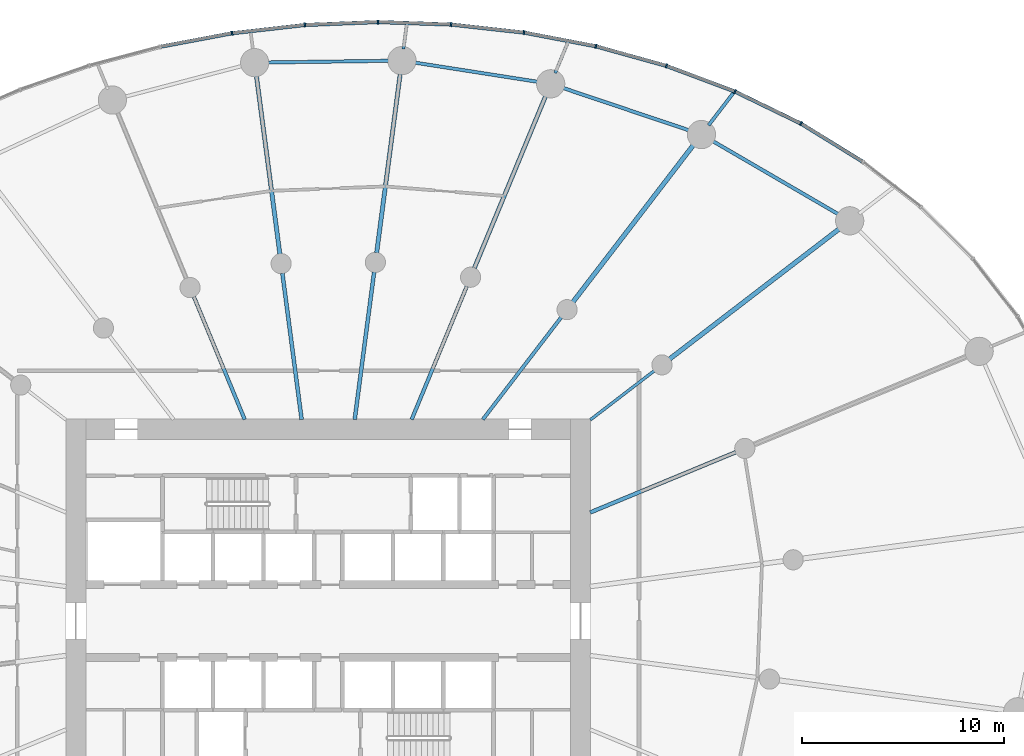
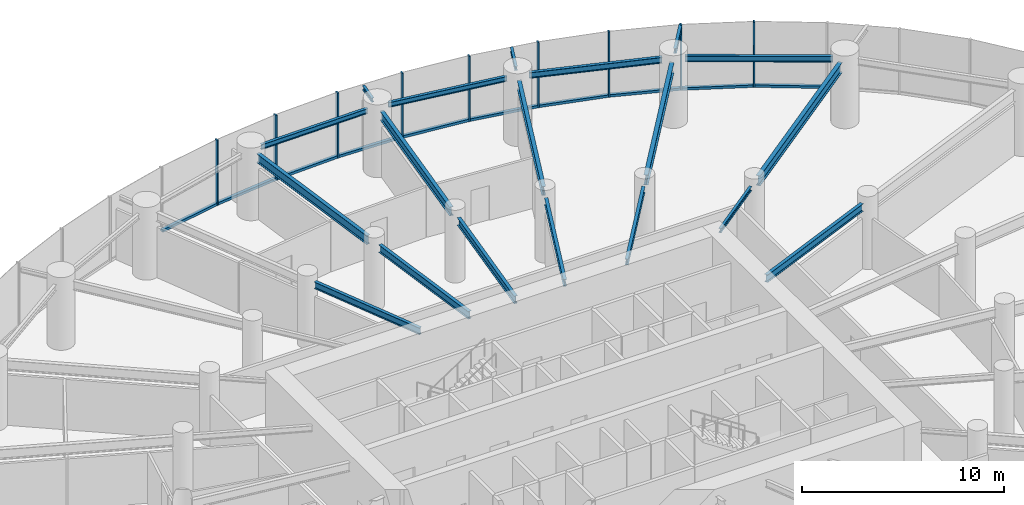
# One storey, part 7 of 18: 19 beams, 19 members, 2 elements without a shape of their own.
"""IFC4 building model written with IfcOpenShell, lengths in metres."""

from ifc_helpers import new_model, si_unit, direction, frame, origin, origin_2d, place, context, subcontext, project, spatial, rectangle, i_section, extrude, source, transform, mapped, material, layer, layer_set, material_profile, profile_set, type_object, element, aggregate, save


model = new_model("IFC4")

# Units and contexts
model_context = context("Model", 3, precision=1e-05, world=origin(), true_north=direction((0.0, 1.0)))
body_context = subcontext(model_context, "Body", "Model", "MODEL_VIEW")
ifc_project = project(units=[si_unit("LENGTHUNIT", "METRE"), si_unit("AREAUNIT", "SQUARE_METRE"), si_unit("VOLUMEUNIT", "CUBIC_METRE"), si_unit("PLANEANGLEUNIT", "RADIAN"), si_unit("MASSUNIT", "GRAM", prefix="KILO")], contexts=[model_context])

# Site, building, storey
site_placement = place(None, origin())
site = spatial("IfcSite", under=ifc_project, at=site_placement, CompositionType="ELEMENT")
building_placement = place(site_placement, origin())
building = spatial("IfcBuilding", under=site, at=building_placement, Name="Spindrift Exchange Tower", CompositionType="ELEMENT")
storey_placement = place(building_placement, frame((0.0, 0.0, 40.199951171875)))
storey = spatial("IfcBuildingStorey", under=building, at=storey_placement, Name="L09", CompositionType="ELEMENT", Elevation=40.199951171875)

# Beams
ifc_material_1 = material(Name="Steel Grade 300", Category="steel")
ifc_material_profile_1 = material_profile(ifc_material_1, i_section(OverallWidth=0.18994140625, OverallDepth=0.45703125, WebThickness=0.009033203125, FlangeThickness=0.014404296875, FilletRadius=0.013916015625, at=origin_2d()), Name="460UB74.6")
ifc_profile_set_1 = profile_set([ifc_material_profile_1], Name="Steel Grade 300")
beam_type_1 = type_object("IfcBeamType", Name="Floor Beam 460UB74.6 Steel Grade 300", PredefinedType="BEAM", material=ifc_profile_set_1)
shared_shape_1 = source(origin(), body_context, "Body", "SweptSolid", [
    extrude(i_section(OverallWidth=0.18994140625, OverallDepth=0.45703125, WebThickness=0.009033203125, FlangeThickness=0.014404296875, FilletRadius=0.013916015625, at=origin_2d()), origin(), (0.0, 0.0, 1.0), 7.808837890625),
])
beam_1_placement = place(storey_placement, frame((64.9814453125, 53.377197265625, 3.721435546875), z_axis=(0.92387965154, 0.382683145003, 0.0), x_axis=(-0.382683145003, 0.92387965154, 0.0)))
element("IfcBeam", 1, at=beam_1_placement, inside=storey, type_object=beam_type_1, Name="L09 radial beam R02A", PredefinedType="BEAM", context=body_context, shape_type="MappedRepresentation", body=[
    mapped(shared_shape_1, transform((0.0, 0.0, 0.0), scale=1.0)),
])
ifc_material_profile_2 = material_profile(ifc_material_1, i_section(OverallWidth=0.14599609375, OverallDepth=0.251953125, WebThickness=0.006103515625, FlangeThickness=0.008544921875, FilletRadius=0.011962890625, at=origin_2d()), Name="250UB31.4")
ifc_profile_set_2 = profile_set([ifc_material_profile_2], Name="Steel Grade 300")
beam_type_2 = type_object("IfcBeamType", Name="Floor Beam 250UB31.4 Steel Grade 300", PredefinedType="BEAM", material=ifc_profile_set_2)
shared_shape_2 = source(origin(), body_context, "Body", "SweptSolid", [
    extrude(i_section(OverallWidth=0.14599609375, OverallDepth=0.251953125, WebThickness=0.006103515625, FlangeThickness=0.008544921875, FilletRadius=0.011962890625, at=origin_2d()), origin(), (0.0, 0.0, 1.0), 3.99560546875),
])
beam_2_placement = place(storey_placement, frame((64.984130859375, 57.963134765625, 3.823974609375), z_axis=(0.793352561574, 0.608762443851, 0.0), x_axis=(-0.608762443851, 0.793352561574, 0.0)))
element("IfcBeam", 2, at=beam_2_placement, inside=storey, type_object=beam_type_2, Name="L09 radial beam R03A", PredefinedType="BEAM", context=body_context, shape_type="MappedRepresentation", body=[
    mapped(shared_shape_2, transform((0.0, 0.0, 0.0), scale=1.0)),
])
ifc_material_profile_3 = material_profile(ifc_material_1, i_section(OverallWidth=0.22802734375, OverallDepth=0.60693359375, WebThickness=0.01123046875, FlangeThickness=0.017333984375, FilletRadius=0.013916015625, at=origin_2d()), Name="610UB113")
ifc_profile_set_3 = profile_set([ifc_material_profile_3], Name="Steel Grade 300")
beam_type_3 = type_object("IfcBeamType", Name="Floor Beam 610UB113 Steel Grade 300", PredefinedType="BEAM", material=ifc_profile_set_3)
shared_shape_3 = source(origin(), body_context, "Body", "SweptSolid", [
    extrude(i_section(OverallWidth=0.22802734375, OverallDepth=0.60693359375, WebThickness=0.01123046875, FlangeThickness=0.017333984375, FilletRadius=0.013916015625, at=origin_2d()), origin(), (0.0, 0.0, 1.0), 10.66357421875),
])
beam_3_placement = place(storey_placement, frame((68.91552734375, 60.979736328125, 3.646484375), z_axis=(0.793357926757, 0.608755451764, 0.0), x_axis=(-0.608755451764, 0.793357926757, 0.0)))
element("IfcBeam", 3, at=beam_3_placement, inside=storey, type_object=beam_type_3, Name="L09 radial beam R03B", PredefinedType="BEAM", context=body_context, shape_type="MappedRepresentation", body=[
    mapped(shared_shape_3, transform((0.0, 0.0, 0.0), scale=1.0)),
])
ifc_material_profile_4 = material_profile(ifc_material_1, i_section(OverallWidth=0.172119140625, OverallDepth=0.35888671875, WebThickness=0.008056640625, FlangeThickness=0.012939453125, FilletRadius=0.013916015625, at=origin_2d()), Name="360UB56.7")
ifc_profile_set_4 = profile_set([ifc_material_profile_4], Name="Steel Grade 300")
beam_type_4 = type_object("IfcBeamType", Name="Floor Beam 360UB56.7 Steel Grade 300", PredefinedType="BEAM", material=ifc_profile_set_4)
shared_shape_4 = source(origin(), body_context, "Body", "SweptSolid", [
    extrude(i_section(OverallWidth=0.172119140625, OverallDepth=0.35888671875, WebThickness=0.008056640625, FlangeThickness=0.012939453125, FilletRadius=0.013916015625, at=origin_2d()), origin(), (0.0, 0.0, 1.0), 6.37646484375),
])
beam_4_placement = place(storey_placement, frame((59.6611328125, 57.984130859375, 3.7705078125), z_axis=(0.608766669952, 0.793349318747, 0.0), x_axis=(-0.793349318747, 0.608766669952, 0.0)))
element("IfcBeam", 4, at=beam_4_placement, inside=storey, type_object=beam_type_4, Name="L09 radial beam R04A", PredefinedType="BEAM", context=body_context, shape_type="MappedRepresentation", body=[
    mapped(shared_shape_4, transform((0.0, 0.0, 0.0), scale=1.0)),
])
shared_shape_5 = source(origin(), body_context, "Body", "SweptSolid", [
    extrude(i_section(OverallWidth=0.22802734375, OverallDepth=0.60693359375, WebThickness=0.01123046875, FlangeThickness=0.017333984375, FilletRadius=0.013916015625, at=origin_2d()), origin(), (0.0, 0.0, 1.0), 9.87548828125),
])
beam_5_placement = place(storey_placement, frame((64.127197265625, 63.8046875, 3.646484375), z_axis=(0.608772470836, 0.793344867477, 0.0), x_axis=(-0.793344867477, 0.608772470836, 0.0)))
element("IfcBeam", 5, at=beam_5_placement, inside=storey, type_object=beam_type_3, Name="L09 radial beam R04B", PredefinedType="BEAM", context=body_context, shape_type="MappedRepresentation", body=[
    mapped(shared_shape_5, transform((0.0, 0.0, 0.0), scale=1.0)),
])
ifc_material_profile_5 = material_profile(ifc_material_1, i_section(OverallWidth=0.177978515625, OverallDepth=0.406005859375, WebThickness=0.0078125, FlangeThickness=0.0126953125, FilletRadius=0.013916015625, at=origin_2d()), Name="410UB59.7")
ifc_profile_set_5 = profile_set([ifc_material_profile_5], Name="Steel Grade 300")
beam_type_5 = type_object("IfcBeamType", Name="Floor Beam 410UB59.7 Steel Grade 300", PredefinedType="BEAM", material=ifc_profile_set_5)
shared_shape_6 = source(origin(), body_context, "Body", "SweptSolid", [
    extrude(i_section(OverallWidth=0.177978515625, OverallDepth=0.406005859375, WebThickness=0.0078125, FlangeThickness=0.0126953125, FilletRadius=0.013916015625, at=origin_2d()), origin(), (0.0, 0.0, 1.0), 7.150634765625),
])
beam_6_placement = place(storey_placement, frame((56.134521484375, 57.9814453125, 3.7470703125), z_axis=(0.382665393358, 0.923887004306, 0.0), x_axis=(-0.923887004306, 0.382665393358, 0.0)))
element("IfcBeam", 6, at=beam_6_placement, inside=storey, type_object=beam_type_5, Name="L09 radial beam R05A", PredefinedType="BEAM", context=body_context, shape_type="MappedRepresentation", body=[
    mapped(shared_shape_6, transform((0.0, 0.0, 0.0), scale=1.0)),
])
ifc_material_profile_6 = material_profile(ifc_material_1, i_section(OverallWidth=0.208984375, OverallDepth=0.532958984375, WebThickness=0.01025390625, FlangeThickness=0.015625, FilletRadius=0.013916015625, at=origin_2d()), Name="530UB92.4")
ifc_profile_set_6 = profile_set([ifc_material_profile_6], Name="Steel Grade 300")
beam_type_6 = type_object("IfcBeamType", Name="Floor Beam 530UB92.4 Steel Grade 300", PredefinedType="BEAM", material=ifc_profile_set_6)
shared_shape_7 = source(origin(), body_context, "Body", "SweptSolid", [
    extrude(i_section(OverallWidth=0.208984375, OverallDepth=0.532958984375, WebThickness=0.01025390625, FlangeThickness=0.015625, FilletRadius=0.013916015625, at=origin_2d()), origin(), (0.0, 0.0, 1.0), 9.309326171875),
])
beam_7_placement = place(storey_placement, frame((59.23828125, 65.474853515625, 3.68359375), z_axis=(0.382685326691, 0.923878747853, 0.0), x_axis=(-0.923878747853, 0.382685326691, 0.0)))
element("IfcBeam", 7, at=beam_7_placement, inside=storey, type_object=beam_type_6, Name="L09 radial beam R05B", PredefinedType="BEAM", context=body_context, shape_type="MappedRepresentation", body=[
    mapped(shared_shape_7, transform((0.0, 0.0, 0.0), scale=1.0)),
])
shared_shape_8 = source(origin(), body_context, "Body", "SweptSolid", [
    extrude(i_section(OverallWidth=0.18994140625, OverallDepth=0.45703125, WebThickness=0.009033203125, FlangeThickness=0.014404296875, FilletRadius=0.013916015625, at=origin_2d()), origin(), (0.0, 0.0, 1.0), 7.374267578125),
])
beam_8_placement = place(storey_placement, frame((53.31396484375, 57.980224609375, 3.721435546875), z_axis=(0.130539295622, 0.99144313619, 0.0), x_axis=(-0.99144313619, 0.130539295622, 0.0)))
element("IfcBeam", 8, at=beam_8_placement, inside=storey, type_object=beam_type_1, Name="L09 radial beam R06A", PredefinedType="BEAM", context=body_context, shape_type="MappedRepresentation", body=[
    mapped(shared_shape_8, transform((0.0, 0.0, 0.0), scale=1.0)),
])
shared_shape_9 = source(origin(), body_context, "Body", "SweptSolid", [
    extrude(i_section(OverallWidth=0.208984375, OverallDepth=0.532958984375, WebThickness=0.01025390625, FlangeThickness=0.015625, FilletRadius=0.013916015625, at=origin_2d()), origin(), (0.0, 0.0, 1.0), 9.020263671875),
])
beam_9_placement = place(storey_placement, frame((54.40185546875, 66.2431640625, 3.68359375), z_axis=(0.13051122338, 0.991446831944, 0.0), x_axis=(-0.991446831944, 0.13051122338, 0.0)))
element("IfcBeam", 9, at=beam_9_placement, inside=storey, type_object=beam_type_6, Name="L09 radial beam R06B", PredefinedType="BEAM", context=body_context, shape_type="MappedRepresentation", body=[
    mapped(shared_shape_9, transform((0.0, 0.0, 0.0), scale=1.0)),
])
shared_shape_10 = source(origin(), body_context, "Body", "SweptSolid", [
    extrude(i_section(OverallWidth=0.18994140625, OverallDepth=0.45703125, WebThickness=0.009033203125, FlangeThickness=0.014404296875, FilletRadius=0.013916015625, at=origin_2d()), origin(), (0.0, 0.0, 1.0), 7.3095703125),
])
beam_10_placement = place(storey_placement, frame((50.68603515625, 57.980224609375, 3.721435546875), z_axis=(-0.130527087244, 0.991444743541, 0.0), x_axis=(-0.991444743541, -0.130527087244, 0.0)))
element("IfcBeam", 10, at=beam_10_placement, inside=storey, type_object=beam_type_1, Name="L09 radial beam R07A", PredefinedType="BEAM", context=body_context, shape_type="MappedRepresentation", body=[
    mapped(shared_shape_10, transform((0.0, 0.0, 0.0), scale=1.0)),
])
shared_shape_11 = source(origin(), body_context, "Body", "SweptSolid", [
    extrude(i_section(OverallWidth=0.208984375, OverallDepth=0.532958984375, WebThickness=0.01025390625, FlangeThickness=0.015625, FilletRadius=0.013916015625, at=origin_2d()), origin(), (0.0, 0.0, 1.0), 8.98388671875),
])
beam_11_placement = place(storey_placement, frame((49.606689453125, 66.17919921875, 3.68359375), z_axis=(-0.130524106785, 0.991445135924, 0.0), x_axis=(-0.991445135924, -0.130524106785, 0.0)))
element("IfcBeam", 11, at=beam_11_placement, inside=storey, type_object=beam_type_6, Name="L09 radial beam R07B", PredefinedType="BEAM", context=body_context, shape_type="MappedRepresentation", body=[
    mapped(shared_shape_11, transform((0.0, 0.0, 0.0), scale=1.0)),
])
shared_shape_12 = source(origin(), body_context, "Body", "SweptSolid", [
    extrude(i_section(OverallWidth=0.177978515625, OverallDepth=0.406005859375, WebThickness=0.0078125, FlangeThickness=0.0126953125, FilletRadius=0.013916015625, at=origin_2d()), origin(), (0.0, 0.0, 1.0), 6.594482421875),
])
beam_12_placement = place(storey_placement, frame((47.865478515625, 57.9814453125, 3.7470703125), z_axis=(-0.382692929746, 0.92387559851, 0.0), x_axis=(-0.92387559851, -0.382692929746, 0.0)))
element("IfcBeam", 12, at=beam_12_placement, inside=storey, type_object=beam_type_5, Name="L09 radial beam R08A", PredefinedType="BEAM", context=body_context, shape_type="MappedRepresentation", body=[
    mapped(shared_shape_12, transform((0.0, 0.0, 0.0), scale=1.0)),
])
ifc_material_profile_7 = material_profile(ifc_material_1, i_section(OverallWidth=0.172119140625, OverallDepth=0.35888671875, WebThickness=0.008056640625, FlangeThickness=0.012939453125, FilletRadius=0.013916015625, at=origin_2d()), Name="360UB56.7")
ifc_profile_set_7 = profile_set([ifc_material_profile_7], Name="Steel Grade 300")
beam_type_7 = type_object("IfcBeamType", Name="Edge Beam 360UB56.7 Steel Grade 300", PredefinedType="SPANDREL", material=ifc_profile_set_7)
shared_shape_13 = source(origin(), body_context, "Body", "SweptSolid", [
    extrude(i_section(OverallWidth=0.172119140625, OverallDepth=0.35888671875, WebThickness=0.008056640625, FlangeThickness=0.012939453125, FilletRadius=0.013916015625, at=origin_2d()), origin(), (0.0, 0.0, 1.0), 7.33740234375),
])
beam_13_placement = place(storey_placement, frame((77.33447265625, 68.1162109375, 3.7705078125), z_axis=(-0.864211826308, 0.503128134047, 0.0), x_axis=(-0.503128134047, -0.864211826308, 0.0)))
element("IfcBeam", 13, at=beam_13_placement, inside=storey, type_object=beam_type_7, Name="L09 edge beam E03", PredefinedType="SPANDREL", context=body_context, shape_type="MappedRepresentation", body=[
    mapped(shared_shape_13, transform((0.0, 0.0, 0.0), scale=1.0)),
])
shared_shape_14 = source(origin(), body_context, "Body", "SweptSolid", [
    extrude(i_section(OverallWidth=0.172119140625, OverallDepth=0.35888671875, WebThickness=0.008056640625, FlangeThickness=0.012939453125, FilletRadius=0.013916015625, at=origin_2d()), origin(), (0.0, 0.0, 1.0), 6.72021484375),
])
beam_14_placement = place(storey_placement, frame((69.9423828125, 72.28466796875, 3.7705078125), z_axis=(-0.947851749681, 0.318711563372, 0.0), x_axis=(-0.318711563372, -0.947851749681, 0.0)))
element("IfcBeam", 14, at=beam_14_placement, inside=storey, type_object=beam_type_7, Name="L09 edge beam E04", PredefinedType="SPANDREL", context=body_context, shape_type="MappedRepresentation", body=[
    mapped(shared_shape_14, transform((0.0, 0.0, 0.0), scale=1.0)),
])
ifc_material_profile_8 = material_profile(ifc_material_1, i_section(OverallWidth=0.1650390625, OverallDepth=0.303955078125, WebThickness=0.006103515625, FlangeThickness=0.01025390625, FilletRadius=0.011474609375, at=origin_2d()), Name="310UB40.4")
ifc_profile_set_8 = profile_set([ifc_material_profile_8], Name="Steel Grade 300")
beam_type_8 = type_object("IfcBeamType", Name="Edge Beam 310UB40.4 Steel Grade 300", PredefinedType="SPANDREL", material=ifc_profile_set_8)
shared_shape_15 = source(origin(), body_context, "Body", "SweptSolid", [
    extrude(i_section(OverallWidth=0.1650390625, OverallDepth=0.303955078125, WebThickness=0.006103515625, FlangeThickness=0.01025390625, FilletRadius=0.011474609375, at=origin_2d()), origin(), (0.0, 0.0, 1.0), 6.297119140625),
])
beam_15_placement = place(storey_placement, frame((62.44970703125, 74.70068359375, 3.798095703125), z_axis=(-0.98802902915, 0.154268070436, 0.0), x_axis=(-0.154268070436, -0.98802902915, 0.0)))
element("IfcBeam", 15, at=beam_15_placement, inside=storey, type_object=beam_type_8, Name="L09 edge beam E05", PredefinedType="SPANDREL", context=body_context, shape_type="MappedRepresentation", body=[
    mapped(shared_shape_15, transform((0.0, 0.0, 0.0), scale=1.0)),
])
shared_shape_16 = source(origin(), body_context, "Body", "SweptSolid", [
    extrude(i_section(OverallWidth=0.1650390625, OverallDepth=0.303955078125, WebThickness=0.006103515625, FlangeThickness=0.01025390625, FilletRadius=0.011474609375, at=origin_2d()), origin(), (0.0, 0.0, 1.0), 6.13720703125),
])
beam_16_placement = place(storey_placement, frame((55.074951171875, 75.75341796875, 3.798095703125), z_axis=(-0.999905820907, -0.013724041543, 0.0), x_axis=(0.013724041543, -0.999905820907, 0.0)))
element("IfcBeam", 16, at=beam_16_placement, inside=storey, type_object=beam_type_8, Name="L09 edge beam E06", PredefinedType="SPANDREL", context=body_context, shape_type="MappedRepresentation", body=[
    mapped(shared_shape_16, transform((0.0, 0.0, 0.0), scale=1.0)),
])
ifc_material_profile_9 = material_profile(ifc_material_1, i_section(OverallWidth=0.1650390625, OverallDepth=0.303955078125, WebThickness=0.006103515625, FlangeThickness=0.01025390625, FilletRadius=0.011474609375, at=origin_2d()), Name="310UB40.4")
ifc_profile_set_9 = profile_set([ifc_material_profile_9], Name="Steel Grade 300")
beam_type_9 = type_object("IfcBeamType", Name="Cantilever Beam 310UB40.4 Steel Grade 300", PredefinedType="BEAM", material=ifc_profile_set_9)
shared_shape_17 = source(origin(), body_context, "Body", "SweptSolid", [
    extrude(i_section(OverallWidth=0.1650390625, OverallDepth=0.303955078125, WebThickness=0.006103515625, FlangeThickness=0.01025390625, FilletRadius=0.011474609375, at=origin_2d()), origin(), (0.0, 0.0, 1.0), 2.16064453125),
])
beam_17_placement = place(storey_placement, frame((70.845458984375, 72.559814453125, 3.798095703125), z_axis=(0.60873278131, 0.793375321622, 0.0), x_axis=(-0.793375321622, 0.60873278131, 0.0)))
element("IfcBeam", 17, at=beam_17_placement, inside=storey, type_object=beam_type_9, Name="L09 cantilever beam R04T", PredefinedType="BEAM", context=body_context, shape_type="MappedRepresentation", body=[
    mapped(shared_shape_17, transform((0.0, 0.0, 0.0), scale=1.0)),
])
ifc_material_profile_10 = material_profile(ifc_material_1, i_section(OverallWidth=0.14599609375, OverallDepth=0.251953125, WebThickness=0.006103515625, FlangeThickness=0.008544921875, FilletRadius=0.011962890625, at=origin_2d()), Name="250UB31.4")
ifc_profile_set_10 = profile_set([ifc_material_profile_10], Name="Steel Grade 300")
beam_type_10 = type_object("IfcBeamType", Name="Cantilever Beam 250UB31.4 Steel Grade 300", PredefinedType="BEAM", material=ifc_profile_set_10)
shared_shape_18 = source(origin(), body_context, "Body", "SweptSolid", [
    extrude(i_section(OverallWidth=0.14599609375, OverallDepth=0.251953125, WebThickness=0.006103515625, FlangeThickness=0.008544921875, FilletRadius=0.011962890625, at=origin_2d()), origin(), (0.0, 0.0, 1.0), 1.72216796875),
])
beam_18_placement = place(storey_placement, frame((63.244873046875, 75.147216796875, 3.823974609375), z_axis=(0.382631424892, 0.923901072997, 0.0), x_axis=(-0.923901072997, 0.382631424892, 0.0)))
element("IfcBeam", 18, at=beam_18_placement, inside=storey, type_object=beam_type_10, Name="L09 cantilever beam R05T", PredefinedType="BEAM", context=body_context, shape_type="MappedRepresentation", body=[
    mapped(shared_shape_18, transform((0.0, 0.0, 0.0), scale=1.0)),
])
shared_shape_19 = source(origin(), body_context, "Body", "SweptSolid", [
    extrude(i_section(OverallWidth=0.14599609375, OverallDepth=0.251953125, WebThickness=0.006103515625, FlangeThickness=0.008544921875, FilletRadius=0.011962890625, at=origin_2d()), origin(), (0.0, 0.0, 1.0), 1.208740234375),
])
beam_19_placement = place(storey_placement, frame((55.730712890625, 76.33642578125, 3.823974609375), z_axis=(0.130271649793, 0.991478339279, 0.0), x_axis=(-0.991478339279, 0.130271649793, 0.0)))
element("IfcBeam", 19, at=beam_19_placement, inside=storey, type_object=beam_type_10, Name="L09 cantilever beam R06T", PredefinedType="BEAM", context=body_context, shape_type="MappedRepresentation", body=[
    mapped(shared_shape_19, transform((0.0, 0.0, 0.0), scale=1.0)),
])

# Curtain wall, members
ifc_material_2 = material(Name="Fritted laminated glass with bronze frame", Category="glass")
ifc_layer = layer(ifc_material_2, 0.199951171875)
ifc_layer_set = layer_set([ifc_layer], Name="ZONE 1 BRONZE FRITTED WALL")
curtain_wall_type = type_object("IfcCurtainWallType", Name="ZONE 1 BRONZE FRITTED WALL", PredefinedType="NOTDEFINED", material=ifc_layer_set)
curtain_wall_1_placement = place(storey_placement, origin())
curtain_wall_1 = element("IfcCurtainWall", 20, at=curtain_wall_1_placement, inside=storey, type_object=curtain_wall_type, Name="L09 Zone 1 Bronze Fritted Wall run 2", PredefinedType="NOTDEFINED")
ifc_material_3 = material(Name="Bronze anodised aluminium", Category="aluminium")
ifc_material_profile_11 = material_profile(ifc_material_3, rectangle(XDim=0.080078125, YDim=0.199951171875, at=origin_2d()), Name="ZONE 1 BRONZE FRITTED WALL MULLION 80X200")
ifc_profile_set_11 = profile_set([ifc_material_profile_11], Name="Bronze anodised aluminium")
member_type_1 = type_object("IfcMemberType", Name="ZONE 1 BRONZE FRITTED WALL MULLION 80X200", PredefinedType="MULLION", material=ifc_profile_set_11)
shared_shape_20 = source(origin(), body_context, "Body", "SweptSolid", [
    extrude(rectangle(XDim=0.080078125, YDim=0.199951171875, at=origin_2d()), origin(), (0.0, 0.0, 1.0), 3.949951171875),
])
member_1_placement = place(storey_placement, frame((75.415771484375, 72.6455078125, 0.0), z_axis=(0.0, 0.0, 1.0), x_axis=(-0.876603115458, 0.481214066678, 0.0)))
member_1 = element("IfcMember", 21, at=member_1_placement, type_object=member_type_1, Name="L09 mullion CW-1.8", PredefinedType="MULLION", context=body_context, shape_type="MappedRepresentation", body=[
    mapped(shared_shape_20, transform((0.0, 0.0, 0.0), scale=1.0)),
])
member_2_placement = place(storey_placement, frame((72.152587890625, 74.228515625, 0.0), z_axis=(0.0, 0.0, 1.0), x_axis=(-0.919085533835, 0.394058094061, 0.0)))
member_2 = element("IfcMember", 22, at=member_2_placement, type_object=member_type_1, Name="L09 mullion CW-1.9", PredefinedType="MULLION", context=body_context, shape_type="MappedRepresentation", body=[
    mapped(shared_shape_20, transform((0.0, 0.0, 0.0), scale=1.0)),
])
member_3_placement = place(storey_placement, frame((68.756103515625, 75.500732421875, 0.0), z_axis=(0.0, 0.0, 1.0), x_axis=(-0.95088107089, 0.309556439157, 0.0)))
member_3 = element("IfcMember", 23, at=member_3_placement, type_object=member_type_1, Name="L09 mullion CW-1.10", PredefinedType="MULLION", context=body_context, shape_type="MappedRepresentation", body=[
    mapped(shared_shape_20, transform((0.0, 0.0, 0.0), scale=1.0)),
])
member_4_placement = place(storey_placement, frame((65.261474609375, 76.471923828125, 0.0), z_axis=(0.0, 0.0, 1.0), x_axis=(-0.973699633682, 0.22783551823, 0.0)))
member_4 = element("IfcMember", 24, at=member_4_placement, type_object=member_type_1, Name="L09 mullion CW-1.11", PredefinedType="MULLION", context=body_context, shape_type="MappedRepresentation", body=[
    mapped(shared_shape_20, transform((0.0, 0.0, 0.0), scale=1.0)),
])
member_5_placement = place(storey_placement, frame((61.698486328125, 77.152099609375, 0.0), z_axis=(0.0, 0.0, 1.0), x_axis=(-0.988874390327, 0.148752950072, 0.0)))
member_5 = element("IfcMember", 25, at=member_5_placement, type_object=member_type_1, Name="L09 mullion CW-1.12", PredefinedType="MULLION", context=body_context, shape_type="MappedRepresentation", body=[
    mapped(shared_shape_20, transform((0.0, 0.0, 0.0), scale=1.0)),
])

curtain_wall_2_placement = place(storey_placement, origin())
curtain_wall_2 = element("IfcCurtainWall", 26, at=curtain_wall_2_placement, inside=storey, type_object=curtain_wall_type, Name="L09 Zone 1 Bronze Fritted Wall run 3", PredefinedType="NOTDEFINED")
member_6_placement = place(storey_placement, frame((58.093017578125, 77.55029296875, 0.0), z_axis=(0.0, 0.0, 1.0), x_axis=(-0.997409204204, 0.071936634401, 0.0)))
member_6 = element("IfcMember", 27, at=member_6_placement, type_object=member_type_1, Name="L09 mullion CW-1.13", PredefinedType="MULLION", context=body_context, shape_type="MappedRepresentation", body=[
    mapped(shared_shape_20, transform((0.0, 0.0, 0.0), scale=1.0)),
])
member_7_placement = place(storey_placement, frame((54.4677734375, 77.673583984375, 0.0), z_axis=(0.0, 0.0, 1.0), x_axis=(-0.999995479186, -0.003006926738, 0.0)))
member_7 = element("IfcMember", 28, at=member_7_placement, type_object=member_type_1, Name="L09 mullion CW-1.14", PredefinedType="MULLION", context=body_context, shape_type="MappedRepresentation", body=[
    mapped(shared_shape_20, transform((0.0, 0.0, 0.0), scale=1.0)),
])
member_8_placement = place(storey_placement, frame((50.84326171875, 77.528564453125, 0.0), z_axis=(0.0, 0.0, 1.0), x_axis=(-0.997069788833, -0.076497295349, 0.0)))
member_8 = element("IfcMember", 29, at=member_8_placement, type_object=member_type_1, Name="L09 mullion CW-1.15", PredefinedType="MULLION", context=body_context, shape_type="MappedRepresentation", body=[
    mapped(shared_shape_20, transform((0.0, 0.0, 0.0), scale=1.0)),
])
member_9_placement = place(storey_placement, frame((47.239013671875, 77.119140625, 0.0), z_axis=(0.0, 0.0, 1.0), x_axis=(-0.988837988931, -0.148994736974, 0.0)))
member_9 = element("IfcMember", 30, at=member_9_placement, type_object=member_type_1, Name="L09 mullion CW-1.16", PredefinedType="MULLION", context=body_context, shape_type="MappedRepresentation", body=[
    mapped(shared_shape_20, transform((0.0, 0.0, 0.0), scale=1.0)),
])

# Member
ifc_material_profile_12 = material_profile(ifc_material_3, rectangle(XDim=0.179931640625, YDim=0.14990234375, at=origin_2d()), Name="ZONE 1 BRONZE FRITTED WALL TRANSOM 180X150")
ifc_profile_set_12 = profile_set([ifc_material_profile_12], Name="Bronze anodised aluminium")
member_type_2 = type_object("IfcMemberType", Name="ZONE 1 BRONZE FRITTED WALL TRANSOM 180X150", PredefinedType="USERDEFINED", material=ifc_profile_set_12)
shared_shape_21 = source(origin(), body_context, "Body", "SweptSolid", [
    extrude(rectangle(XDim=0.179931640625, YDim=0.14990234375, at=origin_2d()), origin(), (0.0, 0.0, 1.0), 3.546875),
])
member_10_placement = place(storey_placement, frame((75.379638671875, 72.662841796875, 0.074951171875), z_axis=(-0.899691250253, 0.436526808133, 0.0), x_axis=(-0.436526808133, -0.899691250253, 0.0)))
member_10 = element("IfcMember", 31, at=member_10_placement, type_object=member_type_2, Name="L09 transom CW-1.8", ObjectType="TRANSOM", PredefinedType="USERDEFINED", context=body_context, shape_type="MappedRepresentation", body=[
    mapped(shared_shape_21, transform((0.0, 0.0, 0.0), scale=1.0)),
])

member_11_placement = place(storey_placement, frame((68.717529296875, 75.511474609375, 0.074951171875), z_axis=(-0.963488320466, 0.267750361953, 0.0), x_axis=(-0.267750361953, -0.963488320466, 0.0)))
member_11 = element("IfcMember", 32, at=member_11_placement, type_object=member_type_2, Name="L09 transom CW-1.10", ObjectType="TRANSOM", PredefinedType="USERDEFINED", context=body_context, shape_type="MappedRepresentation", body=[
    mapped(shared_shape_21, transform((0.0, 0.0, 0.0), scale=1.0)),
])

shared_shape_22 = source(origin(), body_context, "Body", "SweptSolid", [
    extrude(rectangle(XDim=0.179931640625, YDim=0.14990234375, at=origin_2d()), origin(), (0.0, 0.0, 1.0), 3.54736328125),
])
member_12_placement = place(storey_placement, frame((65.22216796875, 76.4794921875, 0.074951171875), z_axis=(-0.982255942327, 0.187545364549, 0.0), x_axis=(-0.187545364549, -0.982255942327, 0.0)))
member_12 = element("IfcMember", 33, at=member_12_placement, type_object=member_type_2, Name="L09 transom CW-1.11", ObjectType="TRANSOM", PredefinedType="USERDEFINED", context=body_context, shape_type="MappedRepresentation", body=[
    mapped(shared_shape_22, transform((0.0, 0.0, 0.0), scale=1.0)),
])

member_13_placement = place(storey_placement, frame((61.65869140625, 77.156494140625, 0.074951171875), z_axis=(-0.993956538008, 0.109774316447, 0.0), x_axis=(-0.109774316447, -0.993956538008, 0.0)))
member_13 = element("IfcMember", 34, at=member_13_placement, type_object=member_type_2, Name="L09 transom CW-1.12", ObjectType="TRANSOM", PredefinedType="USERDEFINED", context=body_context, shape_type="MappedRepresentation", body=[
    mapped(shared_shape_22, transform((0.0, 0.0, 0.0), scale=1.0)),
])

member_14_placement = place(storey_placement, frame((58.05322265625, 77.5517578125, 0.074951171875), z_axis=(-0.999421911514, 0.033997687942, 0.0), x_axis=(-0.033997687942, -0.999421911514, 0.0)))
member_14 = element("IfcMember", 35, at=member_14_placement, type_object=member_type_2, Name="L09 transom CW-1.13", ObjectType="TRANSOM", PredefinedType="USERDEFINED", context=body_context, shape_type="MappedRepresentation", body=[
    mapped(shared_shape_22, transform((0.0, 0.0, 0.0), scale=1.0)),
])

member_15_placement = place(storey_placement, frame((54.427734375, 77.672119140625, 0.074951171875), z_axis=(-0.999197436654, -0.040055993121, 0.0), x_axis=(0.040055993121, -0.999197436654, 0.0)))
member_15 = element("IfcMember", 36, at=member_15_placement, type_object=member_type_2, Name="L09 transom CW-1.14", ObjectType="TRANSOM", PredefinedType="USERDEFINED", context=body_context, shape_type="MappedRepresentation", body=[
    mapped(shared_shape_22, transform((0.0, 0.0, 0.0), scale=1.0)),
])

member_16_placement = place(storey_placement, frame((50.803466796875, 77.52392578125, 0.074951171875), z_axis=(-0.993609641076, -0.112871082037, 0.0), x_axis=(0.112871082037, -0.993609641076, 0.0)))
member_16 = element("IfcMember", 37, at=member_16_placement, type_object=member_type_2, Name="L09 transom CW-1.15", ObjectType="TRANSOM", PredefinedType="USERDEFINED", context=body_context, shape_type="MappedRepresentation", body=[
    mapped(shared_shape_22, transform((0.0, 0.0, 0.0), scale=1.0)),
])

member_17_placement = place(storey_placement, frame((47.19970703125, 77.11181640625, 0.074951171875), z_axis=(-0.982751207611, -0.184932592958, 0.0), x_axis=(0.184932592958, -0.982751207611, 0.0)))
member_17 = element("IfcMember", 38, at=member_17_placement, type_object=member_type_2, Name="L09 transom CW-1.16", ObjectType="TRANSOM", PredefinedType="USERDEFINED", context=body_context, shape_type="MappedRepresentation", body=[
    mapped(shared_shape_22, transform((0.0, 0.0, 0.0), scale=1.0)),
])

aggregate(curtain_wall_2, [member_6, member_14, member_7, member_15, member_8, member_16, member_9, member_17])

shared_shape_23 = source(origin(), body_context, "Body", "SweptSolid", [
    extrude(rectangle(XDim=0.179931640625, YDim=0.14990234375, at=origin_2d()), origin(), (0.0, 0.0, 1.0), 3.547119140625),
])
member_18_placement = place(storey_placement, frame((72.115234375, 74.24267578125, 0.074951171875), z_axis=(-0.936470528524, 0.350746274685, 0.0), x_axis=(-0.350746274685, -0.936470528524, 0.0)))
member_18 = element("IfcMember", 39, at=member_18_placement, type_object=member_type_2, Name="L09 transom CW-1.9", ObjectType="TRANSOM", PredefinedType="USERDEFINED", context=body_context, shape_type="MappedRepresentation", body=[
    mapped(shared_shape_23, transform((0.0, 0.0, 0.0), scale=1.0)),
])

shared_shape_24 = source(origin(), body_context, "Body", "SweptSolid", [
    extrude(rectangle(XDim=0.179931640625, YDim=0.14990234375, at=origin_2d()), origin(), (0.0, 0.0, 1.0), 3.54638671875),
])
member_19_placement = place(storey_placement, frame((78.46875, 70.763671875, 0.074951171875), z_axis=(-0.851284646837, 0.524704154795, 0.0), x_axis=(-0.524704154795, -0.851284646837, 0.0)))
member_19 = element("IfcMember", 40, at=member_19_placement, type_object=member_type_2, Name="L09 transom CW-1.7", ObjectType="TRANSOM", PredefinedType="USERDEFINED", context=body_context, shape_type="MappedRepresentation", body=[
    mapped(shared_shape_24, transform((0.0, 0.0, 0.0), scale=1.0)),
])

aggregate(curtain_wall_1, [member_19, member_1, member_10, member_2, member_18, member_3, member_11, member_4, member_12, member_5, member_13])

save(model, "model.ifc")
